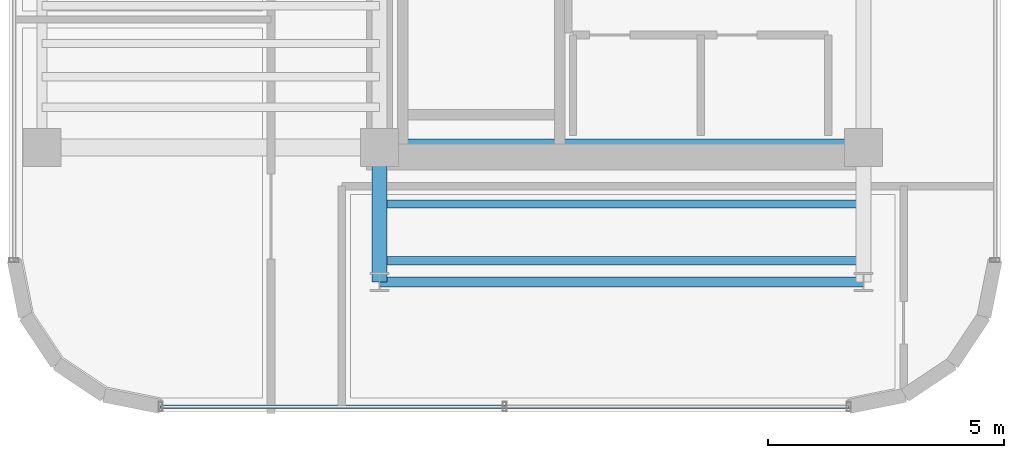
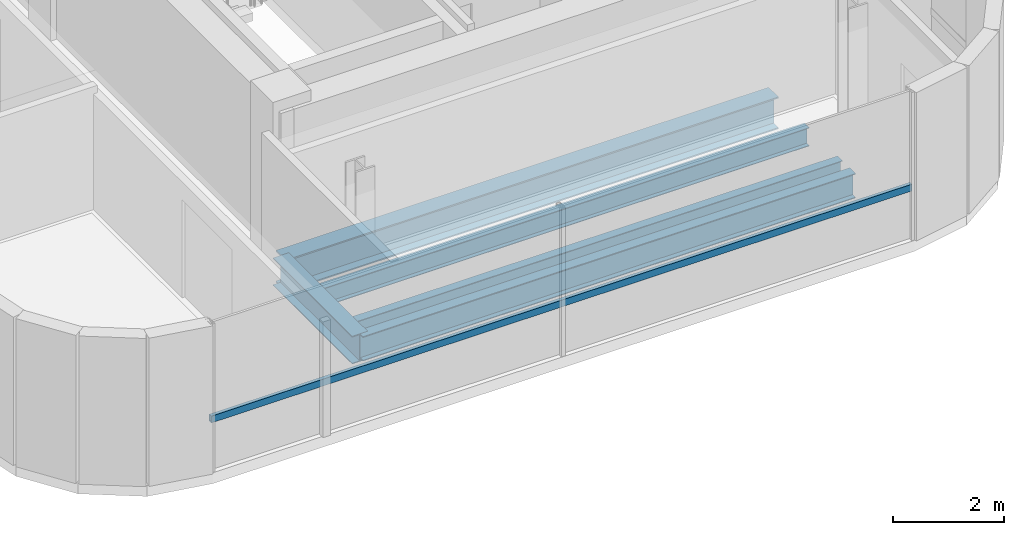
# One storey, part 3 of 21: 5 beams, 1 member, 1 element without a shape of its own.
"""IFC4 building model written with IfcOpenShell, lengths in metres."""

from ifc_helpers import new_model, si_unit, direction, frame, origin, origin_2d, place, context, subcontext, project, spatial, hollow_rectangle, i_section, extrude, source, transform, mapped, material, material_profile, profile_set, type_object, element, aggregate, save


model = new_model("IFC4")

# Units and contexts
model_context = context("Model", 3, precision=1e-05, world=origin(), true_north=direction((0.0, 1.0)))
body_context = subcontext(model_context, "Body", "Model", "MODEL_VIEW")
ifc_project = project(units=[si_unit("LENGTHUNIT", "METRE"), si_unit("AREAUNIT", "SQUARE_METRE"), si_unit("VOLUMEUNIT", "CUBIC_METRE"), si_unit("PLANEANGLEUNIT", "RADIAN"), si_unit("MASSUNIT", "GRAM", prefix="KILO")], contexts=[model_context])

# Site, building, storey
site_placement = place(None, origin())
site = spatial("IfcSite", under=ifc_project, at=site_placement, CompositionType="ELEMENT")
building_placement = place(site_placement, origin())
building = spatial("IfcBuilding", under=site, at=building_placement, Name="Valdorenza Pilgrim Sanctuary Tower", CompositionType="ELEMENT")
storey_placement = place(building_placement, frame((0.0, 0.0, 251.0)))
storey = spatial("IfcBuildingStorey", under=building, at=storey_placement, Name="L65", CompositionType="ELEMENT", Elevation=251.0)

# Beams
ifc_material_1 = material(Name="Steel ASTM A992 Grade 50", Category="steel")
ifc_material_profile_1 = material_profile(ifc_material_1, i_section(OverallWidth=0.323974609375, OverallDepth=0.611083984375, WebThickness=0.0126953125, FlangeThickness=0.01904296875, at=origin_2d()), Name="W24X104")
ifc_profile_set_1 = profile_set([ifc_material_profile_1], Name="Steel ASTM A992 Grade 50")
beam_type_1 = type_object("IfcBeamType", Name="STR-BM-GRD-W24B", PredefinedType="BEAM", material=ifc_profile_set_1)
shared_shape_1 = source(origin(), body_context, "Body", "SweptSolid", [
    extrude(i_section(OverallWidth=0.323974609375, OverallDepth=0.611083984375, WebThickness=0.0126953125, FlangeThickness=0.01904296875, at=origin_2d()), origin(), (0.0, 0.0, 1.0), 2.849853515625),
])
beam_1_placement = place(storey_placement, frame((-22.64990234375, -13.449951171875, -0.54541015625), z_axis=(0.0, 1.0, 0.0), x_axis=(-1.0, 0.0, 0.0)))
element("IfcBeam", 1, at=beam_1_placement, inside=storey, type_object=beam_type_1, Name="L65 Floor Girder WA-S-LW", PredefinedType="BEAM", context=body_context, shape_type="MappedRepresentation", body=[
    mapped(shared_shape_1, transform((0.0, 0.0, 0.0), x_axis=(1.0, 0.0, 0.0), y_axis=(0.0, 1.0, 0.0), z_axis=(0.0, 0.0, 1.0), scale=1.0)),
])
ifc_material_profile_2 = material_profile(ifc_material_1, i_section(OverallWidth=0.2109375, OverallDepth=0.5390625, WebThickness=0.01171875, FlangeThickness=0.018798828125, at=origin_2d()), Name="W21X73")
ifc_profile_set_2 = profile_set([ifc_material_profile_2], Name="Steel ASTM A992 Grade 50")
beam_type_2 = type_object("IfcBeamType", Name="STR-BM-SPN-W21B", PredefinedType="SPANDREL", material=ifc_profile_set_2)
shared_shape_2 = source(origin(), body_context, "Body", "SweptSolid", [
    extrude(i_section(OverallWidth=0.2109375, OverallDepth=0.5390625, WebThickness=0.01171875, FlangeThickness=0.018798828125, at=origin_2d()), origin(), (0.0, 0.0, 1.0), 10.25),
])
beam_2_placement = place(storey_placement, frame((-22.64990234375, -13.449951171875, -0.509521484375), z_axis=(1.0, 0.0, 0.0), x_axis=(0.0, 1.0, 0.0)))
element("IfcBeam", 2, at=beam_2_placement, inside=storey, type_object=beam_type_2, Name="L65 South Spandrel WA-S-TIE", PredefinedType="SPANDREL", context=body_context, shape_type="MappedRepresentation", body=[
    mapped(shared_shape_2, transform((0.0, 0.0, 0.0), x_axis=(1.0, 0.0, 0.0), y_axis=(0.0, 1.0, 0.0), z_axis=(0.0, 0.0, 1.0), scale=1.0)),
])
ifc_material_profile_3 = material_profile(ifc_material_1, i_section(OverallWidth=0.35595703125, OverallDepth=0.700927734375, WebThickness=0.016845703125, FlangeThickness=0.02734375, at=origin_2d()), Name="W27X161")
ifc_profile_set_3 = profile_set([ifc_material_profile_3], Name="Steel ASTM A992 Grade 50")
beam_type_3 = type_object("IfcBeamType", Name="STR-BM-GRD-W27", PredefinedType="BEAM", material=ifc_profile_set_3)
shared_shape_3 = source(origin(), body_context, "Body", "SweptSolid", [
    extrude(i_section(OverallWidth=0.35595703125, OverallDepth=0.700927734375, WebThickness=0.016845703125, FlangeThickness=0.02734375, at=origin_2d()), origin(), (0.0, 0.0, 1.0), 10.25),
])
beam_3_placement = place(storey_placement, frame((-22.64990234375, -10.60009765625, -0.590576171875), z_axis=(1.0, 0.0, 0.0), x_axis=(0.0, 1.0, 0.0)))
element("IfcBeam", 3, at=beam_3_placement, inside=storey, type_object=beam_type_3, Name="L65 Floor Girder CA-XC-S1", PredefinedType="BEAM", context=body_context, shape_type="MappedRepresentation", body=[
    mapped(shared_shape_3, transform((0.0, 0.0, 0.0), x_axis=(1.0, 0.0, 0.0), y_axis=(0.0, 1.0, 0.0), z_axis=(0.0, 0.0, 1.0), scale=1.0)),
])
ifc_material_profile_4 = material_profile(ifc_material_1, i_section(OverallWidth=0.177978515625, OverallDepth=0.406005859375, WebThickness=0.0078125, FlangeThickness=0.0126953125, at=origin_2d()), Name="W16X40")
ifc_profile_set_4 = profile_set([ifc_material_profile_4], Name="Steel ASTM A992 Grade 50")
beam_type_4 = type_object("IfcBeamType", Name="STR-BM-JST-W16", PredefinedType="JOIST", material=ifc_profile_set_4)
shared_shape_4 = source(origin(), body_context, "Body", "SweptSolid", [
    extrude(i_section(OverallWidth=0.177978515625, OverallDepth=0.406005859375, WebThickness=0.0078125, FlangeThickness=0.0126953125, at=origin_2d()), origin(), (0.0, 0.0, 1.0), 10.25),
])
for number, where, z_axis, x_axis, name in (
    (4, (-22.64990234375, -13.0, -0.443115234375), (1.0, 0.0, 0.0), (0.0, 1.0, 0.0), "L65 Composite Floor Joist JST-WAS-1"),
    (5, (-22.64990234375, -11.800048828125, -0.443115234375), (1.0, 0.0, 0.0), (0.0, 1.0, 0.0), "L65 Composite Floor Joist JST-WAS-2"),
):
    element("IfcBeam", number, at=place(storey_placement, frame(where, z_axis=z_axis, x_axis=x_axis)), inside=storey, type_object=beam_type_4, Name=name, PredefinedType="JOIST", context=body_context, shape_type="MappedRepresentation", body=[
        mapped(shared_shape_4, transform((0.0, 0.0, 0.0), x_axis=(1.0, 0.0, 0.0), y_axis=(0.0, 1.0, 0.0), z_axis=(0.0, 0.0, 1.0), scale=1.0)),
    ])

# Curtain wall, member
ifc_material_2 = material(Name="Curtain-wall IGU glazing", Category="glass")
curtain_wall_type = type_object("IfcCurtainWallType", Name="CW-SYS-02", PredefinedType="NOTDEFINED", material=ifc_material_2)
curtain_wall_placement = place(storey_placement, origin())
curtain_wall = element("IfcCurtainWall", 6, at=curtain_wall_placement, inside=storey, type_object=curtain_wall_type, Name="L65 Curtain Wall CW-L65-1-26", PredefinedType="NOTDEFINED")
ifc_material_3 = material(Name="Anodised aluminium AW-6060", Category="aluminium")
ifc_material_profile_5 = material_profile(ifc_material_3, hollow_rectangle(XDim=0.074951171875, YDim=0.14990234375, WallThickness=0.00390625, at=origin_2d()), Name="ALU-T 150x75x4")
ifc_profile_set_5 = profile_set([ifc_material_profile_5], Name="Anodised aluminium AW-6060")
member_type = type_object("IfcMemberType", Name="CW-TRN-02", PredefinedType="USERDEFINED", material=ifc_profile_set_5)
shared_shape_5 = source(origin(), body_context, "Body", "SweptSolid", [
    extrude(hollow_rectangle(XDim=0.074951171875, YDim=0.14990234375, WallThickness=0.00390625, at=origin_2d()), origin(), (0.0, 0.0, 1.0), 14.57861328125),
])
member_placement = place(storey_placement, frame((-12.710693359375, -16.090087890625, 1.1201171875), z_axis=(-1.0, 0.0, 0.0), x_axis=(0.0, -1.0, 0.0)))
member = element("IfcMember", 7, at=member_placement, type_object=member_type, Name="CW-L65-1-26 Transom 1", ObjectType="TRANSOM", PredefinedType="USERDEFINED", context=body_context, shape_type="MappedRepresentation", body=[
    mapped(shared_shape_5, transform((0.0, 0.0, 0.0), x_axis=(1.0, 0.0, 0.0), y_axis=(0.0, 1.0, 0.0), z_axis=(0.0, 0.0, 1.0), scale=1.0)),
])
aggregate(curtain_wall, [member])

save(model, "model.ifc")
